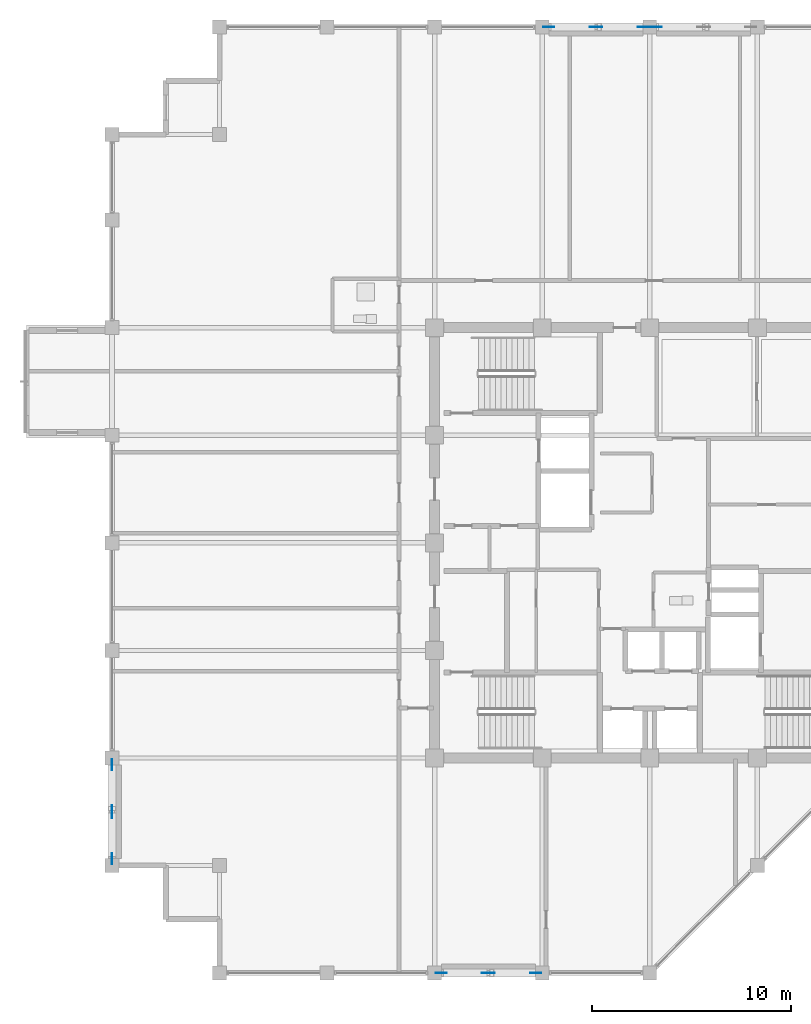
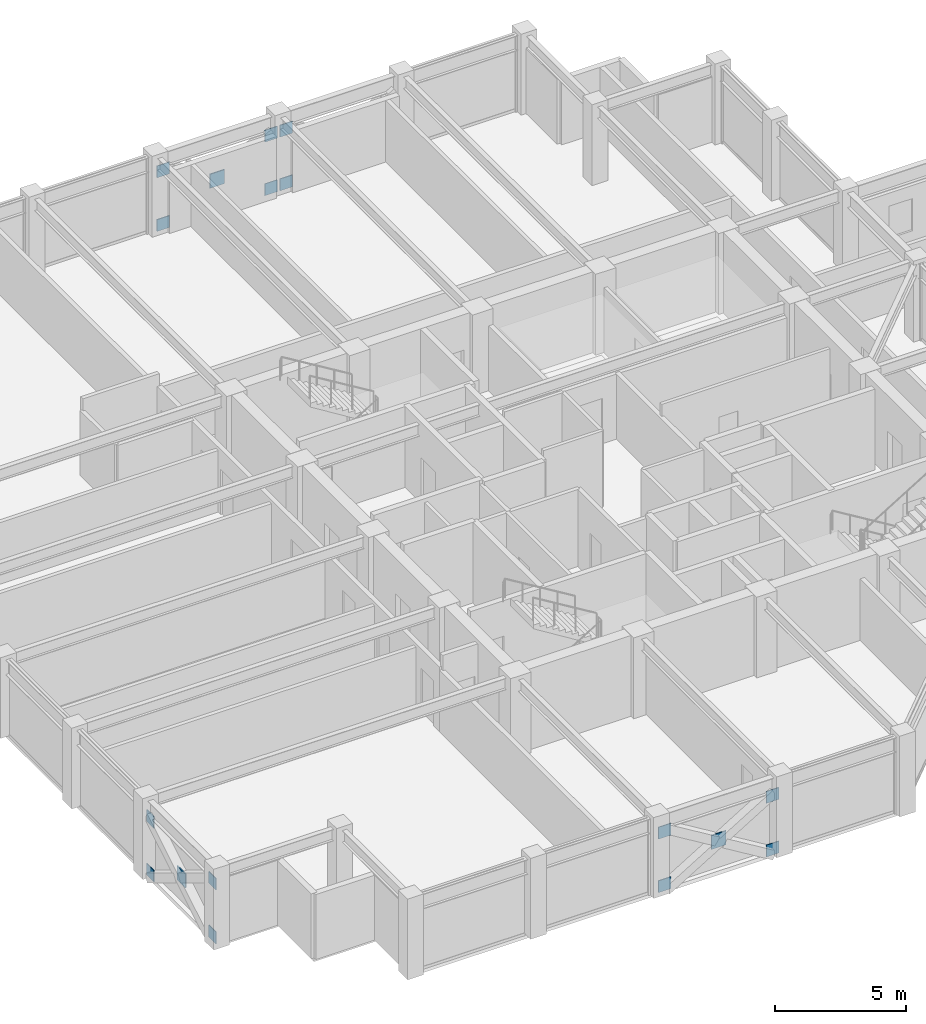
# One storey, part 23 of 31: 17 plates.
"""IFC4 building model written with IfcOpenShell, lengths in metres."""

import ifcopenshell
import ifcopenshell.guid

model = None  # the IFC model being written
_history = None  # IfcOwnerHistory: only IFC2X3 demands one
_inside = {}  # id of a spatial element -> (the spatial element, [elements in it])
_under = {}  # id of a project, library or spatial element -> (it, [spatial elements below it])
_declared = {}  # id of a project -> (the project, [libraries it declares])
_typed = {}  # id of a type object -> (the type object, [elements of that type])
_made_of = {}  # id of a material, layer set ... -> (it, [elements and type objects made of it])


def new_model(schema):
    """Start an empty IFC model of exactly this schema.

    Asked for "IFC4X3", IfcOpenShell would pick the latest addendum, in which some entities
    have other attributes; the version numbers below select the first issue.
    IFC2X3 requires an IfcOwnerHistory on every rooted entity: one is made here for all.
    """
    global model, _history
    if schema == "IFC4X3":
        model = ifcopenshell.file(schema_version=(4, 3, 0, 0))
    else:
        model = ifcopenshell.file(schema=schema)
    _inside.clear()
    _under.clear()
    _declared.clear()
    _typed.clear()
    _made_of.clear()
    _history = None
    if model.schema == "IFC2X3":
        org = make("IfcOrganization", Name="unknown")
        user = make(
            "IfcPersonAndOrganization",
            ThePerson=make("IfcPerson", FamilyName="unknown"),
            TheOrganization=org,
        )
        app = make(
            "IfcApplication",
            ApplicationDeveloper=org,
            Version="unknown",
            ApplicationFullName="unknown",
            ApplicationIdentifier="unknown",
        )
        _history = make(
            "IfcOwnerHistory",
            OwningUser=user,
            OwningApplication=app,
            ChangeAction="ADDED",
            CreationDate=0,
        )
    return model


def make(cls, **values):
    """One entity of the class cls with the attributes given. An attribute that is None is left unset."""
    return model.create_entity(
        cls, **{name: value for name, value in values.items() if value is not None}
    )


def rooted(cls, **values):
    """An entity with a GlobalId (a new one), such as an element, a storey or a relation."""
    return make(cls, GlobalId=ifcopenshell.guid.new(), OwnerHistory=_history, **values)


def si_unit(unit_type, name, prefix=None):
    """IfcSIUnit, for example si_unit("LENGTHUNIT", "METRE", prefix="MILLI")."""
    return make("IfcSIUnit", UnitType=unit_type, Prefix=prefix, Name=name)


def assignment(units):
    """IfcUnitAssignment: the units of a project."""
    return None if units is None else make("IfcUnitAssignment", Units=units)


def point(xyz):
    """IfcCartesianPoint."""
    return None if xyz is None else make("IfcCartesianPoint", Coordinates=xyz)


def direction(xyz):
    """IfcDirection."""
    return None if xyz is None else make("IfcDirection", DirectionRatios=xyz)


def frame(location, z_axis=None, x_axis=None):
    """IfcAxis2Placement3D, a coordinate frame: its origin and axes. An axis left out is left unset."""
    return make(
        "IfcAxis2Placement3D",
        Location=point(location),
        Axis=direction(z_axis),
        RefDirection=direction(x_axis),
    )


def frame_2d(location, x_axis=None):
    """IfcAxis2Placement2D, a coordinate frame in the plane: its origin and x axis."""
    return make(
        "IfcAxis2Placement2D", Location=point(location), RefDirection=direction(x_axis)
    )


def origin():
    """The frame at (0, 0, 0) with its axes left unset."""
    return frame((0.0, 0.0, 0.0))


def origin_2d():
    """The frame at (0, 0) in the plane with its x axis left unset."""
    return frame_2d((0.0, 0.0))


def place(relative_to, where):
    """IfcLocalPlacement: puts the frame where relative to a parent placement (None: the world)."""
    return make(
        "IfcLocalPlacement", PlacementRelTo=relative_to, RelativePlacement=where
    )


def context(
    kind, dimensions, precision=None, world=None, true_north=None, identifier=None
):
    """IfcGeometricRepresentationContext, for example the 3D "Model" context."""
    return make(
        "IfcGeometricRepresentationContext",
        ContextIdentifier=identifier,
        ContextType=kind,
        CoordinateSpaceDimension=dimensions,
        Precision=precision,
        WorldCoordinateSystem=world,
        TrueNorth=true_north,
    )


def subcontext(parent, identifier, kind, view, scale=None):
    """IfcGeometricRepresentationSubContext, for example "Body" below "Model"."""
    return make(
        "IfcGeometricRepresentationSubContext",
        ContextIdentifier=identifier,
        ContextType=kind,
        ParentContext=parent,
        TargetScale=scale,
        TargetView=view,
    )


def project(units=None, contexts=None):
    """IfcProject with its units and contexts."""
    return rooted(
        "IfcProject",
        Name="project",
        RepresentationContexts=contexts,
        UnitsInContext=assignment(units),
    )


def spatial(cls, under=None, at=None, **own):
    """A site, building, storey or space (cls), placed at a placement, below another one or the project."""
    s = rooted(cls, ObjectPlacement=at, **own)
    if under is not None:
        _under.setdefault(under.id(), (under, []))[1].append(s)
    return s


def profile(cls, at=None, kind="AREA", **sizes):
    """A parametric profile (cls). Its sizes go by their IFC names, for example OverallWidth=200.0."""
    return make(cls, ProfileType=kind, Position=at, **sizes)


def rectangle(**sizes):
    """IfcRectangleProfileDef."""
    return profile("IfcRectangleProfileDef", **sizes)


def extrude(swept, where, along, depth):
    """IfcExtrudedAreaSolid: the profile swept, set in the frame where, extruded along a direction by depth."""
    return make(
        "IfcExtrudedAreaSolid",
        SweptArea=swept,
        Position=where,
        ExtrudedDirection=direction(along),
        Depth=depth,
    )


def shape(context_of_items, identifier, shape_type, items):
    """IfcShapeRepresentation: the items that make up one representation, for example the "Body"."""
    return make(
        "IfcShapeRepresentation",
        ContextOfItems=context_of_items,
        RepresentationIdentifier=identifier,
        RepresentationType=shape_type,
        Items=items,
    )


def material(Name=None, Category=None):
    """IfcMaterial."""
    return make("IfcMaterial", Name=Name, Category=Category)


def layer(
    of_material, thickness, ventilated=None, Name=None, Category=None, Priority=None
):
    """IfcMaterialLayer: one layer of a wall or slab, of a material (None: an air gap)."""
    return make(
        "IfcMaterialLayer",
        Material=of_material,
        LayerThickness=thickness,
        IsVentilated=ventilated,
        Name=Name,
        Category=Category,
        Priority=Priority,
    )


def layer_set(layers, Name=None):
    """IfcMaterialLayerSet."""
    return make("IfcMaterialLayerSet", MaterialLayers=layers, LayerSetName=Name)


def made_of(thing, what):
    """Note that an element or type object is made of a material, layer set ...; save() writes the relation."""
    if what is not None:
        _made_of.setdefault(what.id(), (what, []))[1].append(thing)
    return thing


def type_object(cls, material=None, **own):
    """A type object (cls), such as IfcWallType, which elements share."""
    return made_of(rooted(cls, **own), material)


def element(
    cls,
    number,
    at=None,
    inside=None,
    cuts=None,
    type_object=None,
    material=None,
    context=None,
    identifier="Body",
    shape_type=None,
    held_by="IfcProductDefinitionShape",
    body=None,
    shapes=None,
    **own,
):
    """One element of the class cls, such as IfcWall. Its Tag is "e" and its number.

    at: its placement. inside: the storey or other place that contains it. cuts: it is an
    opening in that element (IfcRelVoidsElement). A single representation is given by context,
    identifier, shape_type and body (its items); several are given by shapes. held_by: the class
    of the entity that holds the representations. save() writes the other relations.
    """
    e = rooted(cls, Tag="e%d" % number, ObjectPlacement=at, **own)
    if body is not None:
        shapes = [shape(context, identifier, shape_type, body)]
    if shapes is not None:
        e.Representation = make(held_by, Representations=shapes)
    if inside is not None:
        _inside.setdefault(inside.id(), (inside, []))[1].append(e)
    if cuts is not None:
        rooted(
            "IfcRelVoidsElement", RelatingBuildingElement=cuts, RelatedOpeningElement=e
        )
    if type_object is not None:
        _typed.setdefault(type_object.id(), (type_object, []))[1].append(e)
    return made_of(e, material)


def aggregate(whole, parts):
    """IfcRelAggregates: a whole, such as a stair, and the parts it consists of."""
    return rooted("IfcRelAggregates", RelatingObject=whole, RelatedObjects=parts)


def save(model, path):
    """Write the relations noted so far, then the file.

    IfcRelAggregates (storeys below a building ...), IfcRelContainedInSpatialStructure (elements
    in a storey), IfcRelDefinesByType, IfcRelAssociatesMaterial and IfcRelDeclares: one each for
    every whole, place, type object, material and project.
    """
    for whole, parts in _under.values():
        aggregate(whole, parts)
    for where, things in _inside.values():
        rooted(
            "IfcRelContainedInSpatialStructure",
            RelatedElements=things,
            RelatingStructure=where,
        )
    for kind, things in _typed.values():
        rooted("IfcRelDefinesByType", RelatedObjects=things, RelatingType=kind)
    for what, things in _made_of.values():
        rooted("IfcRelAssociatesMaterial", RelatedObjects=things, RelatingMaterial=what)
    for by, libraries in _declared.values():
        rooted("IfcRelDeclares", RelatingContext=by, RelatedDefinitions=libraries)
    model.write(path)


model = new_model("IFC4")

# Units and contexts
model_context = context("Model", 3, precision=1e-05, world=origin(), true_north=direction((0.0, 1.0)))
body_context = subcontext(model_context, "Body", "Model", "MODEL_VIEW")
ifc_project = project(units=[si_unit("LENGTHUNIT", "METRE"), si_unit("AREAUNIT", "SQUARE_METRE"), si_unit("VOLUMEUNIT", "CUBIC_METRE"), si_unit("PLANEANGLEUNIT", "RADIAN"), si_unit("MASSUNIT", "GRAM", prefix="KILO")], contexts=[model_context])

# Site, building, storey
site_placement = place(None, origin())
site = spatial("IfcSite", under=ifc_project, at=site_placement, CompositionType="ELEMENT")
building_placement = place(site_placement, origin())
building = spatial("IfcBuilding", under=site, at=building_placement, Name="Surkhivell Harbour Commons", CompositionType="ELEMENT")
storey_placement = place(building_placement, frame((0.0, 0.0, 262.5)))
storey = spatial("IfcBuildingStorey", under=building, at=storey_placement, Name="L68", CompositionType="ELEMENT", Elevation=262.5)

# Plates
ifc_material = material(Name="Steel S460", Category="steel")
ifc_layer_1 = layer(ifc_material, 0.035888671875)
ifc_layer_set_1 = layer_set([ifc_layer_1], Name="Steel S460")
plate_type_1 = type_object("IfcPlateType", Name="PLT-GUS-550", PredefinedType="USERDEFINED", material=ifc_layer_set_1)
for number, where, z_axis, x_axis, name in (
    (1, (-5.06494140625, 25.89990234375, -0.07470703125), (0.0, 0.0, 1.0), (1.0, 0.0, 0.0), "L68 Perimeter Mega-Brace MB- Corner Gusset N-1"),
    (2, (-0.3349609375, 25.89990234375, -0.07470703125), (0.0, 0.0, 1.0), (1.0, 0.0, 0.0), "L68 Perimeter Mega-Brace MB- Corner Gusset N-2"),
    (3, (-5.06494140625, 25.89990234375, 2.41357421875), (0.0, 0.0, 1.0), (1.0, 0.0, 0.0), "L68 Perimeter Mega-Brace MB- Corner Gusset N-3"),
    (4, (-0.3349609375, 25.89990234375, 2.41357421875), (0.0, 0.0, 1.0), (1.0, 0.0, 0.0), "L68 Perimeter Mega-Brace MB- Corner Gusset N-4"),
    (5, (0.3349609375, 25.89990234375, -0.07470703125), (0.0, 0.0, 1.0), (1.0, 0.0, 0.0), "L68 Perimeter Mega-Brace MB- Corner Gusset N2-1"),
    (6, (0.3349609375, 25.89990234375, 2.41357421875), (0.0, 0.0, 1.0), (1.0, 0.0, 0.0), "L68 Perimeter Mega-Brace MB- Corner Gusset N2-3"),
    (7, (-10.465087890625, -21.60009765625, -0.07470703125), (0.0, 0.0, 1.0), (1.0, 0.0, 0.0), "L68 Perimeter Mega-Brace MB- Corner Gusset S-1"),
    (8, (-5.735107421875, -21.60009765625, -0.07470703125), (0.0, 0.0, 1.0), (1.0, 0.0, 0.0), "L68 Perimeter Mega-Brace MB- Corner Gusset S-2"),
    (9, (-10.465087890625, -21.60009765625, 2.41357421875), (0.0, 0.0, 1.0), (1.0, 0.0, 0.0), "L68 Perimeter Mega-Brace MB- Corner Gusset S-3"),
    (10, (-5.735107421875, -21.60009765625, 2.41357421875), (0.0, 0.0, 1.0), (1.0, 0.0, 0.0), "L68 Perimeter Mega-Brace MB- Corner Gusset S-4"),
    (11, (-27.0, -15.864990234375, -0.07470703125), (0.0, 0.0, 1.0), (0.0, 1.0, 0.0), "L68 Perimeter Mega-Brace MB- Corner Gusset W-1"),
    (12, (-27.0, -11.135009765625, -0.07470703125), (0.0, 0.0, 1.0), (0.0, 1.0, 0.0), "L68 Perimeter Mega-Brace MB- Corner Gusset W-2"),
    (13, (-27.0, -15.864990234375, 2.41357421875), (0.0, 0.0, 1.0), (0.0, 1.0, 0.0), "L68 Perimeter Mega-Brace MB- Corner Gusset W-3"),
    (14, (-27.0, -11.135009765625, 2.41357421875), (0.0, 0.0, 1.0), (0.0, 1.0, 0.0), "L68 Perimeter Mega-Brace MB- Corner Gusset W-4"),
):
    element("IfcPlate", number, at=place(storey_placement, frame(where, z_axis=z_axis, x_axis=x_axis)), inside=storey, type_object=plate_type_1, Name=name, ObjectType="GUSSET_PLATE", PredefinedType="USERDEFINED", context=body_context, shape_type="SweptSolid", body=[
        extrude(rectangle(XDim=0.550048828125, YDim=0.035888671875, at=origin_2d()), origin(), (0.0, 0.0, 1.0), 0.550048828125),
    ])
ifc_layer_2 = layer(ifc_material, 0.044921875)
ifc_layer_set_2 = layer_set([ifc_layer_2], Name="Steel S460")
plate_type_2 = type_object("IfcPlateType", Name="PLT-GUS-650", PredefinedType="USERDEFINED", material=ifc_layer_set_2)
for number, where, z_axis, x_axis, name in (
    (15, (-2.699951171875, 25.89990234375, 1.11962890625), (0.0, 0.0, 1.0), (1.0, 0.0, 0.0), "L68 Perimeter Mega-Brace MB- Central Crossing Gusset N"),
    (16, (-8.10009765625, -21.60009765625, 1.11962890625), (0.0, 0.0, 1.0), (1.0, 0.0, 0.0), "L68 Perimeter Mega-Brace MB- Central Crossing Gusset S"),
    (17, (-27.0, -13.5, 1.11962890625), (0.0, 0.0, 1.0), (0.0, 1.0, 0.0), "L68 Perimeter Mega-Brace MB- Central Crossing Gusset W"),
):
    element("IfcPlate", number, at=place(storey_placement, frame(where, z_axis=z_axis, x_axis=x_axis)), inside=storey, type_object=plate_type_2, Name=name, ObjectType="GUSSET_PLATE", PredefinedType="USERDEFINED", context=body_context, shape_type="SweptSolid", body=[
        extrude(rectangle(XDim=0.64990234375, YDim=0.044921875, at=origin_2d()), origin(), (0.0, 0.0, 1.0), 0.64990234375),
    ])

save(model, "model.ifc")
